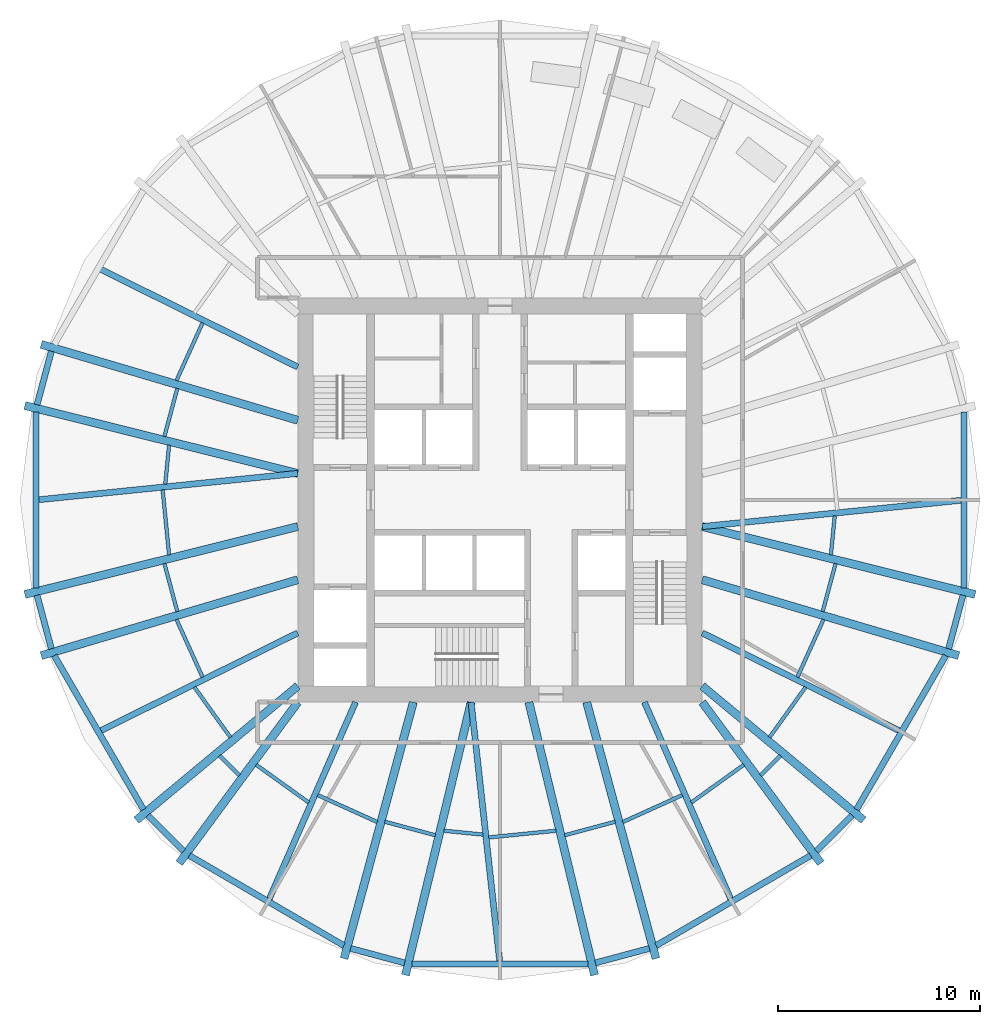
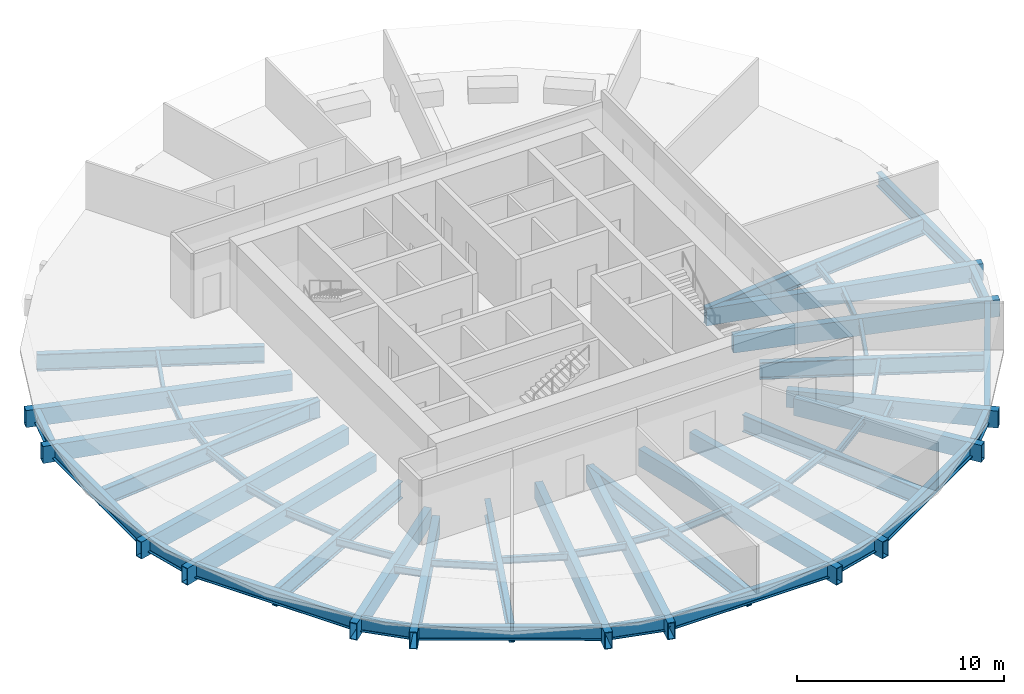
# One storey, part 1 of 7: 57 beams.
"""IFC4 building model written with IfcOpenShell, lengths in metres."""

from ifc_helpers import new_model, si_unit, direction, frame, origin, origin_2d, place, context, subcontext, project, spatial, hollow_rectangle, i_section, extrude, material, material_profile, profile_set, type_object, element, save


model = new_model("IFC4")

# Units and contexts
model_context = context("Model", 3, precision=1e-05, world=origin(), true_north=direction((0.0, 1.0)))
body_context = subcontext(model_context, "Body", "Model", "MODEL_VIEW")
ifc_project = project(units=[si_unit("LENGTHUNIT", "METRE"), si_unit("AREAUNIT", "SQUARE_METRE"), si_unit("VOLUMEUNIT", "CUBIC_METRE"), si_unit("PLANEANGLEUNIT", "RADIAN"), si_unit("MASSUNIT", "GRAM", prefix="KILO")], contexts=[model_context])

# Site, building, storey
site_placement = place(None, origin())
site = spatial("IfcSite", under=ifc_project, at=site_placement, CompositionType="ELEMENT")
building_placement = place(site_placement, origin())
building = spatial("IfcBuilding", under=site, at=building_placement, Name="Golbaran Civic Tower", CompositionType="ELEMENT")
storey_placement = place(building_placement, frame((0.0, 0.0, 65.0)))
storey = spatial("IfcBuildingStorey", under=building, at=storey_placement, Name="L15", CompositionType="ELEMENT", Elevation=65.0)

# Beams
ifc_material = material(Name="Steel S355", Category="steel")
ifc_material_profile_1 = material_profile(ifc_material, i_section(OverallWidth=0.300048828125, OverallDepth=0.800048828125, WebThickness=0.017578125, FlangeThickness=0.032958984375, FilletRadius=0.030029296875, at=origin_2d()), Name="HEB 800")
ifc_profile_set_1 = profile_set([ifc_material_profile_1], Name="Steel S355")
beam_type_1 = type_object("IfcBeamType", Name="EDGE BEAM HEB 800", PredefinedType="BEAM", material=ifc_profile_set_1)
beam_1_placement = place(storey_placement, frame((-22.182861328125, 7.360107421875, -0.60009765625), z_axis=(-0.258570152701, -0.965992482441, 0.0), x_axis=(0.965992482441, -0.258570152701, 0.0)))
element("IfcBeam", 1, at=beam_1_placement, inside=storey, type_object=beam_type_1, Name="Edge beam 161.32 L15", PredefinedType="BEAM", context=body_context, shape_type="SweptSolid", body=[
    extrude(i_section(OverallWidth=0.300048828125, OverallDepth=0.800048828125, WebThickness=0.017578125, FlangeThickness=0.032958984375, FilletRadius=0.030029296875, at=origin_2d()), origin(), (0.0, 0.0, 1.0), 2.74560546875),
])
beam_2_placement = place(storey_placement, frame((-22.939453125, 4.348388671875, -0.60009765625), z_axis=(0.0, -1.0, 0.0), x_axis=(1.0, 0.0, 0.0)))
element("IfcBeam", 2, at=beam_2_placement, inside=storey, type_object=beam_type_1, Name="Edge beam 168.68 L15", PredefinedType="BEAM", context=body_context, shape_type="SweptSolid", body=[
    extrude(i_section(OverallWidth=0.300048828125, OverallDepth=0.800048828125, WebThickness=0.017578125, FlangeThickness=0.032958984375, FilletRadius=0.030029296875, at=origin_2d()), origin(), (0.0, 0.0, 1.0), 8.69677734375),
])
beam_3_placement = place(storey_placement, frame((-22.892822265625, -4.707763671875, -0.60009765625), z_axis=(0.258570152701, -0.965992482441, 0.0), x_axis=(0.965992482441, 0.258570152701, 0.0)))
element("IfcBeam", 3, at=beam_3_placement, inside=storey, type_object=beam_type_1, Name="Edge beam 191.32 L15", PredefinedType="BEAM", context=body_context, shape_type="SweptSolid", body=[
    extrude(i_section(OverallWidth=0.300048828125, OverallDepth=0.800048828125, WebThickness=0.017578125, FlangeThickness=0.032958984375, FilletRadius=0.030029296875, at=origin_2d()), origin(), (0.0, 0.0, 1.0), 2.74560546875),
])
beam_4_placement = place(storey_placement, frame((-22.04345703125, -7.694091796875, -0.60009765625), z_axis=(0.50151960102, -0.865146282309, 0.0), x_axis=(0.865146282309, 0.50151960102, 0.0)))
element("IfcBeam", 4, at=beam_4_placement, inside=storey, type_object=beam_type_1, Name="Edge beam 198.68 L15", PredefinedType="BEAM", context=body_context, shape_type="SweptSolid", body=[
    extrude(i_section(OverallWidth=0.300048828125, OverallDepth=0.800048828125, WebThickness=0.017578125, FlangeThickness=0.032958984375, FilletRadius=0.030029296875, at=origin_2d()), origin(), (0.0, 0.0, 1.0), 8.79931640625),
])
beam_5_placement = place(storey_placement, frame((-17.411376953125, -15.5927734375, -0.60009765625), z_axis=(0.706031038, -0.708180890296, 0.0), x_axis=(0.708180890296, 0.706031038, 0.0)))
element("IfcBeam", 5, at=beam_5_placement, inside=storey, type_object=beam_type_1, Name="Edge beam 221.32 L15", PredefinedType="BEAM", context=body_context, shape_type="SweptSolid", body=[
    extrude(i_section(OverallWidth=0.300048828125, OverallDepth=0.800048828125, WebThickness=0.017578125, FlangeThickness=0.032958984375, FilletRadius=0.030029296875, at=origin_2d()), origin(), (0.0, 0.0, 1.0), 2.498291015625),
])
beam_6_placement = place(storey_placement, frame((-15.362548828125, -17.582275390625, -0.60009765625), z_axis=(0.864063190564, -0.503383355617, 0.0), x_axis=(0.503383355617, 0.864063190564, 0.0)))
element("IfcBeam", 6, at=beam_6_placement, inside=storey, type_object=beam_type_1, Name="Edge beam 228.68 L15", PredefinedType="BEAM", context=body_context, shape_type="SweptSolid", body=[
    extrude(i_section(OverallWidth=0.300048828125, OverallDepth=0.800048828125, WebThickness=0.017578125, FlangeThickness=0.032958984375, FilletRadius=0.030029296875, at=origin_2d()), origin(), (0.0, 0.0, 1.0), 8.841552734375),
])
beam_7_placement = place(storey_placement, frame((-7.387939453125, -22.173583984375, -0.60009765625), z_axis=(0.965779219382, -0.259365570982, 0.0), x_axis=(0.259365570982, 0.965779219382, 0.0)))
element("IfcBeam", 7, at=beam_7_placement, inside=storey, type_object=beam_type_1, Name="Edge beam 251.32 L15", PredefinedType="BEAM", context=body_context, shape_type="SweptSolid", body=[
    extrude(i_section(OverallWidth=0.300048828125, OverallDepth=0.800048828125, WebThickness=0.017578125, FlangeThickness=0.032958984375, FilletRadius=0.030029296875, at=origin_2d()), origin(), (0.0, 0.0, 1.0), 2.765625),
])
beam_8_placement = place(storey_placement, frame((-4.35791015625, -22.937744140625, -0.60009765625), z_axis=(1.0, 0.0, 0.0), x_axis=(0.0, 1.0, 0.0)))
element("IfcBeam", 8, at=beam_8_placement, inside=storey, type_object=beam_type_1, Name="Edge beam 258.68 L15", PredefinedType="BEAM", context=body_context, shape_type="SweptSolid", body=[
    extrude(i_section(OverallWidth=0.300048828125, OverallDepth=0.800048828125, WebThickness=0.017578125, FlangeThickness=0.032958984375, FilletRadius=0.030029296875, at=origin_2d()), origin(), (0.0, 0.0, 1.0), 8.7158203125),
])
beam_9_placement = place(storey_placement, frame((4.717041015625, -22.890869140625, -0.60009765625), z_axis=(0.965779219382, 0.259365570982, 0.0), x_axis=(-0.259365570982, 0.965779219382, 0.0)))
element("IfcBeam", 9, at=beam_9_placement, inside=storey, type_object=beam_type_1, Name="Edge beam 281.32 L15", PredefinedType="BEAM", context=body_context, shape_type="SweptSolid", body=[
    extrude(i_section(OverallWidth=0.300048828125, OverallDepth=0.800048828125, WebThickness=0.017578125, FlangeThickness=0.032958984375, FilletRadius=0.030029296875, at=origin_2d()), origin(), (0.0, 0.0, 1.0), 2.765625),
])
beam_10_placement = place(storey_placement, frame((7.722900390625, -22.032958984375, -0.60009765625), z_axis=(0.864063190564, 0.503383355617, 0.0), x_axis=(-0.503383355617, 0.864063190564, 0.0)))
element("IfcBeam", 10, at=beam_10_placement, inside=storey, type_object=beam_type_1, Name="Edge beam 288.68 L15", PredefinedType="BEAM", context=body_context, shape_type="SweptSolid", body=[
    extrude(i_section(OverallWidth=0.300048828125, OverallDepth=0.800048828125, WebThickness=0.017578125, FlangeThickness=0.032958984375, FilletRadius=0.030029296875, at=origin_2d()), origin(), (0.0, 0.0, 1.0), 8.841552734375),
])
beam_11_placement = place(storey_placement, frame((15.6474609375, -17.362060546875, -0.60009765625), z_axis=(0.706031038, 0.708180890296, 0.0), x_axis=(-0.708180890296, 0.706031038, 0.0)))
element("IfcBeam", 11, at=beam_11_placement, inside=storey, type_object=beam_type_1, Name="Edge beam 311.32 L15", PredefinedType="BEAM", context=body_context, shape_type="SweptSolid", body=[
    extrude(i_section(OverallWidth=0.300048828125, OverallDepth=0.800048828125, WebThickness=0.017578125, FlangeThickness=0.032958984375, FilletRadius=0.030029296875, at=origin_2d()), origin(), (0.0, 0.0, 1.0), 2.498291015625),
])
beam_12_placement = place(storey_placement, frame((17.63037109375, -15.306884765625, -0.60009765625), z_axis=(0.50151960102, 0.865146282309, 0.0), x_axis=(-0.865146282309, 0.50151960102, 0.0)))
element("IfcBeam", 12, at=beam_12_placement, inside=storey, type_object=beam_type_1, Name="Edge beam 318.68 L15", PredefinedType="BEAM", context=body_context, shape_type="SweptSolid", body=[
    extrude(i_section(OverallWidth=0.300048828125, OverallDepth=0.800048828125, WebThickness=0.017578125, FlangeThickness=0.032958984375, FilletRadius=0.030029296875, at=origin_2d()), origin(), (0.0, 0.0, 1.0), 8.79931640625),
])
beam_13_placement = place(storey_placement, frame((22.182861328125, -7.360107421875, -0.60009765625), z_axis=(0.258570152701, 0.965992482441, 0.0), x_axis=(-0.965992482441, 0.258570152701, 0.0)))
element("IfcBeam", 13, at=beam_13_placement, inside=storey, type_object=beam_type_1, Name="Edge beam 341.32 L15", PredefinedType="BEAM", context=body_context, shape_type="SweptSolid", body=[
    extrude(i_section(OverallWidth=0.300048828125, OverallDepth=0.800048828125, WebThickness=0.017578125, FlangeThickness=0.032958984375, FilletRadius=0.030029296875, at=origin_2d()), origin(), (0.0, 0.0, 1.0), 2.74560546875),
])
beam_14_placement = place(storey_placement, frame((22.939453125, -4.348388671875, -0.60009765625), z_axis=(0.0, 1.0, 0.0), x_axis=(-1.0, 0.0, 0.0)))
element("IfcBeam", 14, at=beam_14_placement, inside=storey, type_object=beam_type_1, Name="Edge beam 348.68 L15", PredefinedType="BEAM", context=body_context, shape_type="SweptSolid", body=[
    extrude(i_section(OverallWidth=0.300048828125, OverallDepth=0.800048828125, WebThickness=0.017578125, FlangeThickness=0.032958984375, FilletRadius=0.030029296875, at=origin_2d()), origin(), (0.0, 0.0, 1.0), 8.69677734375),
])
ifc_material_profile_2 = material_profile(ifc_material, i_section(OverallWidth=0.179931640625, OverallDepth=0.39990234375, WebThickness=0.008544921875, FlangeThickness=0.013427734375, FilletRadius=0.02099609375, at=origin_2d()), Name="IPE 400")
ifc_profile_set_2 = profile_set([ifc_material_profile_2], Name="Steel S355")
beam_type_2 = type_object("IfcBeamType", Name="FLOOR INFILL BEAM IPE 400", PredefinedType="BEAM", material=ifc_profile_set_2)
beam_15_placement = place(storey_placement, frame((-14.70654296875, 8.7626953125, -0.39990234375), z_axis=(-0.412089389939, -0.911143421586, 0.0), x_axis=(0.911143421586, -0.412089389939, 0.0)))
element("IfcBeam", 15, at=beam_15_placement, inside=storey, type_object=beam_type_2, Name="Infill beam 155.66 L15", PredefinedType="BEAM", context=body_context, shape_type="SweptSolid", body=[
    extrude(i_section(OverallWidth=0.179931640625, OverallDepth=0.39990234375, WebThickness=0.008544921875, FlangeThickness=0.013427734375, FilletRadius=0.02099609375, at=origin_2d()), origin(), (0.0, 0.0, 1.0), 3.1357421875),
])
beam_16_placement = place(storey_placement, frame((-15.957763671875, 5.51806640625, -0.39990234375), z_axis=(-0.258792276938, -0.9659329984, 0.0), x_axis=(0.9659329984, -0.258792276938, 0.0)))
element("IfcBeam", 16, at=beam_16_placement, inside=storey, type_object=beam_type_2, Name="Infill beam 165.00 L15", PredefinedType="BEAM", context=body_context, shape_type="SweptSolid", body=[
    extrude(i_section(OverallWidth=0.179931640625, OverallDepth=0.39990234375, WebThickness=0.008544921875, FlangeThickness=0.013427734375, FilletRadius=0.02099609375, at=origin_2d()), origin(), (0.0, 0.0, 1.0), 2.461181640625),
])
beam_17_placement = place(storey_placement, frame((-16.36279296875, 2.7119140625, -0.39990234375), z_axis=(-0.098557726991, -0.995131335277, 0.0), x_axis=(0.995131335277, -0.098557726991, 0.0)))
element("IfcBeam", 17, at=beam_17_placement, inside=storey, type_object=beam_type_2, Name="Infill beam 174.34 L15", PredefinedType="BEAM", context=body_context, shape_type="SweptSolid", body=[
    extrude(i_section(OverallWidth=0.179931640625, OverallDepth=0.39990234375, WebThickness=0.008544921875, FlangeThickness=0.013427734375, FilletRadius=0.02099609375, at=origin_2d()), origin(), (0.0, 0.0, 1.0), 1.942138671875),
])
beam_18_placement = place(storey_placement, frame((-16.681640625, 0.5048828125, -0.39990234375), z_axis=(0.098636260006, -0.995123554244, 0.0), x_axis=(0.995123554244, 0.098636260006, 0.0)))
element("IfcBeam", 18, at=beam_18_placement, inside=storey, type_object=beam_type_2, Name="Infill beam 185.66 L15", PredefinedType="BEAM", context=body_context, shape_type="SweptSolid", body=[
    extrude(i_section(OverallWidth=0.179931640625, OverallDepth=0.39990234375, WebThickness=0.008544921875, FlangeThickness=0.013427734375, FilletRadius=0.02099609375, at=origin_2d()), origin(), (0.0, 0.0, 1.0), 3.232666015625),
])
beam_19_placement = place(storey_placement, frame((-16.5947265625, -3.140625, -0.39990234375), z_axis=(0.258792276938, -0.9659329984, 0.0), x_axis=(0.9659329984, 0.258792276938, 0.0)))
element("IfcBeam", 19, at=beam_19_placement, inside=storey, type_object=beam_type_2, Name="Infill beam 195.00 L15", PredefinedType="BEAM", context=body_context, shape_type="SweptSolid", body=[
    extrude(i_section(OverallWidth=0.179931640625, OverallDepth=0.39990234375, WebThickness=0.008544921875, FlangeThickness=0.013427734375, FilletRadius=0.02099609375, at=origin_2d()), origin(), (0.0, 0.0, 1.0), 2.461181640625),
])
beam_20_placement = place(storey_placement, frame((-15.998779296875, -5.905517578125, -0.39990234375), z_axis=(0.412089389939, -0.911143421586, 0.0), x_axis=(0.911143421586, 0.412089389939, 0.0)))
element("IfcBeam", 20, at=beam_20_placement, inside=storey, type_object=beam_type_2, Name="Infill beam 204.34 L15", PredefinedType="BEAM", context=body_context, shape_type="SweptSolid", body=[
    extrude(i_section(OverallWidth=0.179931640625, OverallDepth=0.39990234375, WebThickness=0.008544921875, FlangeThickness=0.013427734375, FilletRadius=0.02099609375, at=origin_2d()), origin(), (0.0, 0.0, 1.0), 3.1357421875),
])
beam_21_placement = place(storey_placement, frame((-15.111572265625, -9.25390625, -0.39990234375), z_axis=(0.582938862706, -0.812516019748, 0.0), x_axis=(0.812516019748, 0.582938862706, 0.0)))
element("IfcBeam", 21, at=beam_21_placement, inside=storey, type_object=beam_type_2, Name="Infill beam 215.66 L15", PredefinedType="BEAM", context=body_context, shape_type="SweptSolid", body=[
    extrude(i_section(OverallWidth=0.179931640625, OverallDepth=0.39990234375, WebThickness=0.008544921875, FlangeThickness=0.013427734375, FilletRadius=0.02099609375, at=origin_2d()), origin(), (0.0, 0.0, 1.0), 3.05322265625),
])
beam_22_placement = place(storey_placement, frame((-13.861083984375, -12.642578125, -0.39990234375), z_axis=(0.707195441054, -0.707018110201, 0.0), x_axis=(0.707018110201, 0.707195441054, 0.0)))
element("IfcBeam", 22, at=beam_22_placement, inside=storey, type_object=beam_type_2, Name="Infill beam 225.00 L15", PredefinedType="BEAM", context=body_context, shape_type="SweptSolid", body=[
    extrude(i_section(OverallWidth=0.179931640625, OverallDepth=0.39990234375, WebThickness=0.008544921875, FlangeThickness=0.013427734375, FilletRadius=0.02099609375, at=origin_2d()), origin(), (0.0, 0.0, 1.0), 1.376708984375),
])
beam_23_placement = place(storey_placement, frame((-12.056640625, -13.09521484375, -0.39990234375), z_axis=(0.812493435831, -0.582970339495, 0.0), x_axis=(0.582970339495, 0.812493435831, 0.0)))
element("IfcBeam", 23, at=beam_23_placement, inside=storey, type_object=beam_type_2, Name="Infill beam 234.34 L15", PredefinedType="BEAM", context=body_context, shape_type="SweptSolid", body=[
    extrude(i_section(OverallWidth=0.179931640625, OverallDepth=0.39990234375, WebThickness=0.008544921875, FlangeThickness=0.013427734375, FilletRadius=0.02099609375, at=origin_2d()), origin(), (0.0, 0.0, 1.0), 3.197509765625),
])
beam_24_placement = place(storey_placement, frame((-9.014404296875, -14.593017578125, -0.39990234375), z_axis=(0.911113331175, -0.412155914376, 0.0), x_axis=(0.412155914376, 0.911113331175, 0.0)))
element("IfcBeam", 24, at=beam_24_placement, inside=storey, type_object=beam_type_2, Name="Infill beam 245.66 L15", PredefinedType="BEAM", context=body_context, shape_type="SweptSolid", body=[
    extrude(i_section(OverallWidth=0.179931640625, OverallDepth=0.39990234375, WebThickness=0.008544921875, FlangeThickness=0.013427734375, FilletRadius=0.02099609375, at=origin_2d()), origin(), (0.0, 0.0, 1.0), 3.22900390625),
])
beam_25_placement = place(storey_placement, frame((-5.69580078125, -15.909912109375, -0.39990234375), z_axis=(0.96594763022, -0.258737658012, 0.0), x_axis=(0.258737658012, 0.96594763022, 0.0)))
element("IfcBeam", 25, at=beam_25_placement, inside=storey, type_object=beam_type_2, Name="Infill beam 255.00 L15", PredefinedType="BEAM", context=body_context, shape_type="SweptSolid", body=[
    extrude(i_section(OverallWidth=0.179931640625, OverallDepth=0.39990234375, WebThickness=0.008544921875, FlangeThickness=0.013427734375, FilletRadius=0.02099609375, at=origin_2d()), origin(), (0.0, 0.0, 1.0), 2.58642578125),
])
beam_26_placement = place(storey_placement, frame((-2.7734375, -16.355712890625, -0.39990234375), z_axis=(0.995128662023, -0.098584714942, 0.0), x_axis=(0.098584714942, 0.995128662023, 0.0)))
element("IfcBeam", 26, at=beam_26_placement, inside=storey, type_object=beam_type_2, Name="Infill beam 264.34 L15", PredefinedType="BEAM", context=body_context, shape_type="SweptSolid", body=[
    extrude(i_section(OverallWidth=0.179931640625, OverallDepth=0.39990234375, WebThickness=0.008544921875, FlangeThickness=0.013427734375, FilletRadius=0.02099609375, at=origin_2d()), origin(), (0.0, 0.0, 1.0), 1.946533203125),
])
beam_27_placement = place(storey_placement, frame((-0.5595703125, -16.68603515625, -0.39990234375), z_axis=(0.995124848705, 0.098623199553, 0.0), x_axis=(-0.098623199553, 0.995124848705, 0.0)))
element("IfcBeam", 27, at=beam_27_placement, inside=storey, type_object=beam_type_2, Name="Infill beam 275.66 L15", PredefinedType="BEAM", context=body_context, shape_type="SweptSolid", body=[
    extrude(i_section(OverallWidth=0.179931640625, OverallDepth=0.39990234375, WebThickness=0.008544921875, FlangeThickness=0.013427734375, FilletRadius=0.02099609375, at=origin_2d()), origin(), (0.0, 0.0, 1.0), 3.349365234375),
])
beam_28_placement = place(storey_placement, frame((3.197509765625, -16.5791015625, -0.39990234375), z_axis=(0.96594763022, 0.258737658012, 0.0), x_axis=(-0.258737658012, 0.96594763022, 0.0)))
element("IfcBeam", 28, at=beam_28_placement, inside=storey, type_object=beam_type_2, Name="Infill beam 285.00 L15", PredefinedType="BEAM", context=body_context, shape_type="SweptSolid", body=[
    extrude(i_section(OverallWidth=0.179931640625, OverallDepth=0.39990234375, WebThickness=0.008544921875, FlangeThickness=0.013427734375, FilletRadius=0.02099609375, at=origin_2d()), origin(), (0.0, 0.0, 1.0), 2.58642578125),
])
beam_29_placement = place(storey_placement, frame((6.072509765625, -15.923828125, -0.39990234375), z_axis=(0.911113331175, 0.412155914376, 0.0), x_axis=(-0.412155914376, 0.911113331175, 0.0)))
element("IfcBeam", 29, at=beam_29_placement, inside=storey, type_object=beam_type_2, Name="Infill beam 294.34 L15", PredefinedType="BEAM", context=body_context, shape_type="SweptSolid", body=[
    extrude(i_section(OverallWidth=0.179931640625, OverallDepth=0.39990234375, WebThickness=0.008544921875, FlangeThickness=0.013427734375, FilletRadius=0.02099609375, at=origin_2d()), origin(), (0.0, 0.0, 1.0), 3.22900390625),
])
beam_30_placement = place(storey_placement, frame((9.458740234375, -14.959228515625, -0.39990234375), z_axis=(0.812493435831, 0.582970339495, 0.0), x_axis=(-0.582970339495, 0.812493435831, 0.0)))
element("IfcBeam", 30, at=beam_30_placement, inside=storey, type_object=beam_type_2, Name="Infill beam 305.66 L15", PredefinedType="BEAM", context=body_context, shape_type="SweptSolid", body=[
    extrude(i_section(OverallWidth=0.179931640625, OverallDepth=0.39990234375, WebThickness=0.008544921875, FlangeThickness=0.013427734375, FilletRadius=0.02099609375, at=origin_2d()), origin(), (0.0, 0.0, 1.0), 3.197509765625),
])
beam_31_placement = place(storey_placement, frame((12.887451171875, -13.615966796875, -0.39990234375), z_axis=(0.707195441054, 0.707018110201, 0.0), x_axis=(-0.707018110201, 0.707195441054, 0.0)))
element("IfcBeam", 31, at=beam_31_placement, inside=storey, type_object=beam_type_2, Name="Infill beam 315.00 L15", PredefinedType="BEAM", context=body_context, shape_type="SweptSolid", body=[
    extrude(i_section(OverallWidth=0.179931640625, OverallDepth=0.39990234375, WebThickness=0.008544921875, FlangeThickness=0.013427734375, FilletRadius=0.02099609375, at=origin_2d()), origin(), (0.0, 0.0, 1.0), 1.376708984375),
])
beam_32_placement = place(storey_placement, frame((13.331787109375, -11.734619140625, -0.39990234375), z_axis=(0.582938862706, 0.812516019748, 0.0), x_axis=(-0.812516019748, 0.582938862706, 0.0)))
element("IfcBeam", 32, at=beam_32_placement, inside=storey, type_object=beam_type_2, Name="Infill beam 324.34 L15", PredefinedType="BEAM", context=body_context, shape_type="SweptSolid", body=[
    extrude(i_section(OverallWidth=0.179931640625, OverallDepth=0.39990234375, WebThickness=0.008544921875, FlangeThickness=0.013427734375, FilletRadius=0.02099609375, at=origin_2d()), origin(), (0.0, 0.0, 1.0), 3.05322265625),
])
beam_33_placement = place(storey_placement, frame((14.70654296875, -8.7626953125, -0.39990234375), z_axis=(0.412089389939, 0.911143421586, 0.0), x_axis=(-0.911143421586, 0.412089389939, 0.0)))
element("IfcBeam", 33, at=beam_33_placement, inside=storey, type_object=beam_type_2, Name="Infill beam 335.66 L15", PredefinedType="BEAM", context=body_context, shape_type="SweptSolid", body=[
    extrude(i_section(OverallWidth=0.179931640625, OverallDepth=0.39990234375, WebThickness=0.008544921875, FlangeThickness=0.013427734375, FilletRadius=0.02099609375, at=origin_2d()), origin(), (0.0, 0.0, 1.0), 3.1357421875),
])
beam_34_placement = place(storey_placement, frame((15.957763671875, -5.51806640625, -0.39990234375), z_axis=(0.258792276938, 0.9659329984, 0.0), x_axis=(-0.9659329984, 0.258792276938, 0.0)))
element("IfcBeam", 34, at=beam_34_placement, inside=storey, type_object=beam_type_2, Name="Infill beam 345.00 L15", PredefinedType="BEAM", context=body_context, shape_type="SweptSolid", body=[
    extrude(i_section(OverallWidth=0.179931640625, OverallDepth=0.39990234375, WebThickness=0.008544921875, FlangeThickness=0.013427734375, FilletRadius=0.02099609375, at=origin_2d()), origin(), (0.0, 0.0, 1.0), 2.461181640625),
])
beam_35_placement = place(storey_placement, frame((16.36279296875, -2.7119140625, -0.39990234375), z_axis=(0.098557726991, 0.995131335277, 0.0), x_axis=(-0.995131335277, 0.098557726991, 0.0)))
element("IfcBeam", 35, at=beam_35_placement, inside=storey, type_object=beam_type_2, Name="Infill beam 354.34 L15", PredefinedType="BEAM", context=body_context, shape_type="SweptSolid", body=[
    extrude(i_section(OverallWidth=0.179931640625, OverallDepth=0.39990234375, WebThickness=0.008544921875, FlangeThickness=0.013427734375, FilletRadius=0.02099609375, at=origin_2d()), origin(), (0.0, 0.0, 1.0), 1.942138671875),
])
ifc_material_profile_3 = material_profile(ifc_material, hollow_rectangle(XDim=0.39990234375, YDim=1.0, WallThickness=0.0400390625, at=origin_2d()), Name="BOX 1000x400x40")
ifc_profile_set_3 = profile_set([ifc_material_profile_3], Name="Steel S355")
beam_type_3 = type_object("IfcBeamType", Name="RADIAL FLOOR BEAM BOX 1000x400x40", PredefinedType="BEAM", material=ifc_profile_set_3)
beam_36_placement = place(storey_placement, frame((-10.0, 3.94287109375, -0.7099609375), z_axis=(-0.958903426134, 0.283732654709, 0.0), x_axis=(-0.283732654709, -0.958903426134, 0.0)))
element("IfcBeam", 36, at=beam_36_placement, inside=storey, type_object=beam_type_3, Name="Radial beam 161.32 L15", PredefinedType="BEAM", context=body_context, shape_type="SweptSolid", body=[
    extrude(hollow_rectangle(XDim=0.39990234375, YDim=1.0, WallThickness=0.0400390625, at=origin_2d()), origin(), (0.0, 0.0, 1.0), 13.228759765625),
])
for number, where, z_axis, x_axis, name in (
    (37, (-10.0, 1.314208984375, -0.7099609375), (-0.970411447986, 0.241457287358, 0.0), (-0.241457287358, -0.970411447986, 0.0), "Radial beam 168.68 L15"),
    (38, (-10.0, -1.314208984375, -0.7099609375), (-0.970411447986, -0.241457287358, 0.0), (0.241457287358, -0.970411447986, 0.0), "Radial beam 191.32 L15"),
):
    element("IfcBeam", number, at=place(storey_placement, frame(where, z_axis=z_axis, x_axis=x_axis)), inside=storey, type_object=beam_type_3, Name=name, PredefinedType="BEAM", context=body_context, shape_type="SweptSolid", body=[
        extrude(hollow_rectangle(XDim=0.39990234375, YDim=1.0, WallThickness=0.0400390625, at=origin_2d()), origin(), (0.0, 0.0, 1.0), 13.90576171875),
    ])
beam_37_placement = place(storey_placement, frame((-10.0, -3.94287109375, -0.7099609375), z_axis=(-0.958903426134, -0.283732654709, 0.0), x_axis=(0.283732654709, -0.958903426134, 0.0)))
element("IfcBeam", 39, at=beam_37_placement, inside=storey, type_object=beam_type_3, Name="Radial beam 198.68 L15", PredefinedType="BEAM", context=body_context, shape_type="SweptSolid", body=[
    extrude(hollow_rectangle(XDim=0.39990234375, YDim=1.0, WallThickness=0.0400390625, at=origin_2d()), origin(), (0.0, 0.0, 1.0), 13.228759765625),
])
beam_38_placement = place(storey_placement, frame((-10.0, -9.199951171875, -0.7099609375), z_axis=(-0.76909770483, -0.639131223166, 0.0), x_axis=(0.639131223166, -0.76909770483, 0.0)))
element("IfcBeam", 40, at=beam_38_placement, inside=storey, type_object=beam_type_3, Name="Radial beam 221.32 L15", PredefinedType="BEAM", context=body_context, shape_type="SweptSolid", body=[
    extrude(hollow_rectangle(XDim=0.39990234375, YDim=1.0, WallThickness=0.0400390625, at=origin_2d()), origin(), (0.0, 0.0, 1.0), 10.380615234375),
])
beam_39_placement = place(storey_placement, frame((-10.0, -10.0, -0.7099609375), z_axis=(-0.593149357241, -0.8050924419, 0.0), x_axis=(0.8050924419, -0.593149357241, 0.0)))
element("IfcBeam", 41, at=beam_39_placement, inside=storey, type_object=beam_type_3, Name="Radial beam 228.68 L15", PredefinedType="BEAM", context=body_context, shape_type="SweptSolid", body=[
    extrude(hollow_rectangle(XDim=0.39990234375, YDim=1.0, WallThickness=0.0400390625, at=origin_2d()), origin(), (0.0, 0.0, 1.0), 9.890380859375),
])
beam_40_placement = place(storey_placement, frame((-4.28564453125, -10.0, -0.7099609375), z_axis=(-0.260812095373, -0.965389585042, 0.0), x_axis=(0.965389585042, -0.260812095373, 0.0)))
element("IfcBeam", 42, at=beam_40_placement, inside=storey, type_object=beam_type_3, Name="Radial beam 251.32 L15", PredefinedType="BEAM", context=body_context, shape_type="SweptSolid", body=[
    extrude(hollow_rectangle(XDim=0.39990234375, YDim=1.0, WallThickness=0.0400390625, at=origin_2d()), origin(), (0.0, 0.0, 1.0), 13.13232421875),
])
for number, where, z_axis, x_axis, name in (
    (43, (-1.428466796875, -10.0, -0.7099609375), (-0.234054146473, -0.972223563034, 0.0), (0.972223563034, -0.234054146473, 0.0), "Radial beam 258.68 L15"),
    (44, (1.428466796875, -10.0, -0.7099609375), (0.234054146473, -0.972223563034, 0.0), (0.972223563034, 0.234054146473, 0.0), "Radial beam 281.32 L15"),
):
    element("IfcBeam", number, at=place(storey_placement, frame(where, z_axis=z_axis, x_axis=x_axis)), inside=storey, type_object=beam_type_3, Name=name, PredefinedType="BEAM", context=body_context, shape_type="SweptSolid", body=[
        extrude(hollow_rectangle(XDim=0.39990234375, YDim=1.0, WallThickness=0.0400390625, at=origin_2d()), origin(), (0.0, 0.0, 1.0), 13.87939453125),
    ])
beam_41_placement = place(storey_placement, frame((4.28564453125, -10.0, -0.7099609375), z_axis=(0.260812095373, -0.965389585042, 0.0), x_axis=(0.965389585042, 0.260812095373, 0.0)))
element("IfcBeam", 45, at=beam_41_placement, inside=storey, type_object=beam_type_3, Name="Radial beam 288.68 L15", PredefinedType="BEAM", context=body_context, shape_type="SweptSolid", body=[
    extrude(hollow_rectangle(XDim=0.39990234375, YDim=1.0, WallThickness=0.0400390625, at=origin_2d()), origin(), (0.0, 0.0, 1.0), 13.13232421875),
])
beam_42_placement = place(storey_placement, frame((10.0, -10.0, -0.7099609375), z_axis=(0.593149357241, -0.8050924419, 0.0), x_axis=(0.8050924419, 0.593149357241, 0.0)))
element("IfcBeam", 46, at=beam_42_placement, inside=storey, type_object=beam_type_3, Name="Radial beam 311.32 L15", PredefinedType="BEAM", context=body_context, shape_type="SweptSolid", body=[
    extrude(hollow_rectangle(XDim=0.39990234375, YDim=1.0, WallThickness=0.0400390625, at=origin_2d()), origin(), (0.0, 0.0, 1.0), 9.890380859375),
])
beam_43_placement = place(storey_placement, frame((10.0, -9.199951171875, -0.7099609375), z_axis=(0.76909770483, -0.639131223166, 0.0), x_axis=(0.639131223166, 0.76909770483, 0.0)))
element("IfcBeam", 47, at=beam_43_placement, inside=storey, type_object=beam_type_3, Name="Radial beam 318.68 L15", PredefinedType="BEAM", context=body_context, shape_type="SweptSolid", body=[
    extrude(hollow_rectangle(XDim=0.39990234375, YDim=1.0, WallThickness=0.0400390625, at=origin_2d()), origin(), (0.0, 0.0, 1.0), 10.380615234375),
])
beam_44_placement = place(storey_placement, frame((10.0, -3.94287109375, -0.7099609375), z_axis=(0.958903426134, -0.283732654709, 0.0), x_axis=(0.283732654709, 0.958903426134, 0.0)))
element("IfcBeam", 48, at=beam_44_placement, inside=storey, type_object=beam_type_3, Name="Radial beam 341.32 L15", PredefinedType="BEAM", context=body_context, shape_type="SweptSolid", body=[
    extrude(hollow_rectangle(XDim=0.39990234375, YDim=1.0, WallThickness=0.0400390625, at=origin_2d()), origin(), (0.0, 0.0, 1.0), 13.228759765625),
])
beam_45_placement = place(storey_placement, frame((10.0, -1.314208984375, -0.7099609375), z_axis=(0.970411447986, -0.241457287358, 0.0), x_axis=(0.241457287358, 0.970411447986, 0.0)))
element("IfcBeam", 49, at=beam_45_placement, inside=storey, type_object=beam_type_3, Name="Radial beam 348.68 L15", PredefinedType="BEAM", context=body_context, shape_type="SweptSolid", body=[
    extrude(hollow_rectangle(XDim=0.39990234375, YDim=1.0, WallThickness=0.0400390625, at=origin_2d()), origin(), (0.0, 0.0, 1.0), 13.90576171875),
])
ifc_material_profile_4 = material_profile(ifc_material, i_section(OverallWidth=0.300048828125, OverallDepth=1.0, WebThickness=0.01904296875, FlangeThickness=0.035888671875, FilletRadius=0.030029296875, at=origin_2d()), Name="HEB 1000")
ifc_profile_set_4 = profile_set([ifc_material_profile_4], Name="Steel S355")
beam_type_4 = type_object("IfcBeamType", Name="SECONDARY FLOOR BEAM HEB 1000", PredefinedType="BEAM", material=ifc_profile_set_4)
beam_46_placement = place(storey_placement, frame((10.0, -1.314208984375, -0.7099609375), z_axis=(0.994881734836, 0.101046195823, 0.0), x_axis=(-0.101046195823, 0.994881734836, 0.0)))
element("IfcBeam", 50, at=beam_46_placement, inside=storey, type_object=beam_type_4, Name="Secondary beam 0.00 L15", PredefinedType="BEAM", context=body_context, shape_type="SweptSolid", body=[
    extrude(i_section(OverallWidth=0.300048828125, OverallDepth=1.0, WebThickness=0.01904296875, FlangeThickness=0.035888671875, FilletRadius=0.030029296875, at=origin_2d()), origin(), (0.0, 0.0, 1.0), 13.006103515625),
])
beam_47_placement = place(storey_placement, frame((-10.0, 6.571533203125, -0.7099609375), z_axis=(-0.895714559729, 0.444629539605, 0.0), x_axis=(-0.444629539605, -0.895714559729, 0.0)))
element("IfcBeam", 51, at=beam_47_placement, inside=storey, type_object=beam_type_4, Name="Secondary beam 150.00 L15", PredefinedType="BEAM", context=body_context, shape_type="SweptSolid", body=[
    extrude(i_section(OverallWidth=0.300048828125, OverallDepth=1.0, WebThickness=0.01904296875, FlangeThickness=0.035888671875, FilletRadius=0.030029296875, at=origin_2d()), origin(), (0.0, 0.0, 1.0), 11.00537109375),
])
beam_48_placement = place(storey_placement, frame((-10.0, 1.314208984375, -0.7099609375), z_axis=(-0.994881734836, -0.101046195823, 0.0), x_axis=(0.101046195823, -0.994881734836, 0.0)))
element("IfcBeam", 52, at=beam_48_placement, inside=storey, type_object=beam_type_4, Name="Secondary beam 180.00 L15", PredefinedType="BEAM", context=body_context, shape_type="SweptSolid", body=[
    extrude(i_section(OverallWidth=0.300048828125, OverallDepth=1.0, WebThickness=0.01904296875, FlangeThickness=0.035888671875, FilletRadius=0.030029296875, at=origin_2d()), origin(), (0.0, 0.0, 1.0), 13.006103515625),
])
beam_49_placement = place(storey_placement, frame((-10.0, -6.571533203125, -0.7099609375), z_axis=(-0.895714559729, -0.444629539605, 0.0), x_axis=(0.444629539605, -0.895714559729, 0.0)))
element("IfcBeam", 53, at=beam_49_placement, inside=storey, type_object=beam_type_4, Name="Secondary beam 210.00 L15", PredefinedType="BEAM", context=body_context, shape_type="SweptSolid", body=[
    extrude(i_section(OverallWidth=0.300048828125, OverallDepth=1.0, WebThickness=0.01904296875, FlangeThickness=0.035888671875, FilletRadius=0.030029296875, at=origin_2d()), origin(), (0.0, 0.0, 1.0), 11.00537109375),
])
beam_50_placement = place(storey_placement, frame((-7.142822265625, -10.0, -0.7099609375), z_axis=(-0.401507915819, -0.915855552767, 0.0), x_axis=(0.915855552767, -0.401507915819, 0.0)))
element("IfcBeam", 54, at=beam_50_placement, inside=storey, type_object=beam_type_4, Name="Secondary beam 240.00 L15", PredefinedType="BEAM", context=body_context, shape_type="SweptSolid", body=[
    extrude(i_section(OverallWidth=0.300048828125, OverallDepth=1.0, WebThickness=0.01904296875, FlangeThickness=0.035888671875, FilletRadius=0.030029296875, at=origin_2d()), origin(), (0.0, 0.0, 1.0), 10.759521484375),
])
beam_51_placement = place(storey_placement, frame((-1.428466796875, -10.0, -0.7099609375), z_axis=(0.109743916096, -0.993959895006, 0.0), x_axis=(0.993959895006, 0.109743916096, 0.0)))
element("IfcBeam", 55, at=beam_51_placement, inside=storey, type_object=beam_type_4, Name="Secondary beam 270.00 L15", PredefinedType="BEAM", context=body_context, shape_type="SweptSolid", body=[
    extrude(i_section(OverallWidth=0.300048828125, OverallDepth=1.0, WebThickness=0.01904296875, FlangeThickness=0.035888671875, FilletRadius=0.030029296875, at=origin_2d()), origin(), (0.0, 0.0, 1.0), 13.016357421875),
])
beam_52_placement = place(storey_placement, frame((7.142822265625, -10.0, -0.7099609375), z_axis=(0.401507915819, -0.915855552767, 0.0), x_axis=(0.915855552767, 0.401507915819, 0.0)))
element("IfcBeam", 56, at=beam_52_placement, inside=storey, type_object=beam_type_4, Name="Secondary beam 300.00 L15", PredefinedType="BEAM", context=body_context, shape_type="SweptSolid", body=[
    extrude(i_section(OverallWidth=0.300048828125, OverallDepth=1.0, WebThickness=0.01904296875, FlangeThickness=0.035888671875, FilletRadius=0.030029296875, at=origin_2d()), origin(), (0.0, 0.0, 1.0), 10.759521484375),
])
beam_53_placement = place(storey_placement, frame((10.0, -6.571533203125, -0.7099609375), z_axis=(0.895714559729, -0.444629539605, 0.0), x_axis=(0.444629539605, 0.895714559729, 0.0)))
element("IfcBeam", 57, at=beam_53_placement, inside=storey, type_object=beam_type_4, Name="Secondary beam 330.00 L15", PredefinedType="BEAM", context=body_context, shape_type="SweptSolid", body=[
    extrude(i_section(OverallWidth=0.300048828125, OverallDepth=1.0, WebThickness=0.01904296875, FlangeThickness=0.035888671875, FilletRadius=0.030029296875, at=origin_2d()), origin(), (0.0, 0.0, 1.0), 11.00537109375),
])

save(model, "model.ifc")
